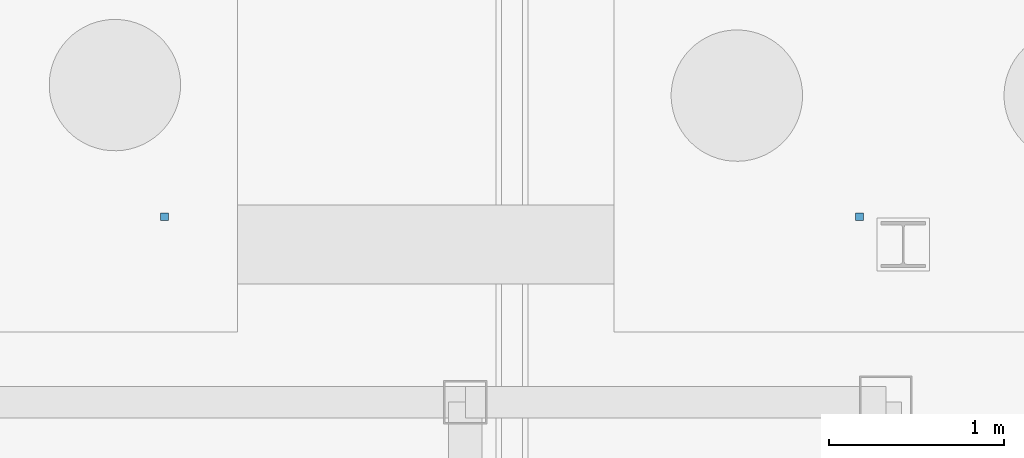
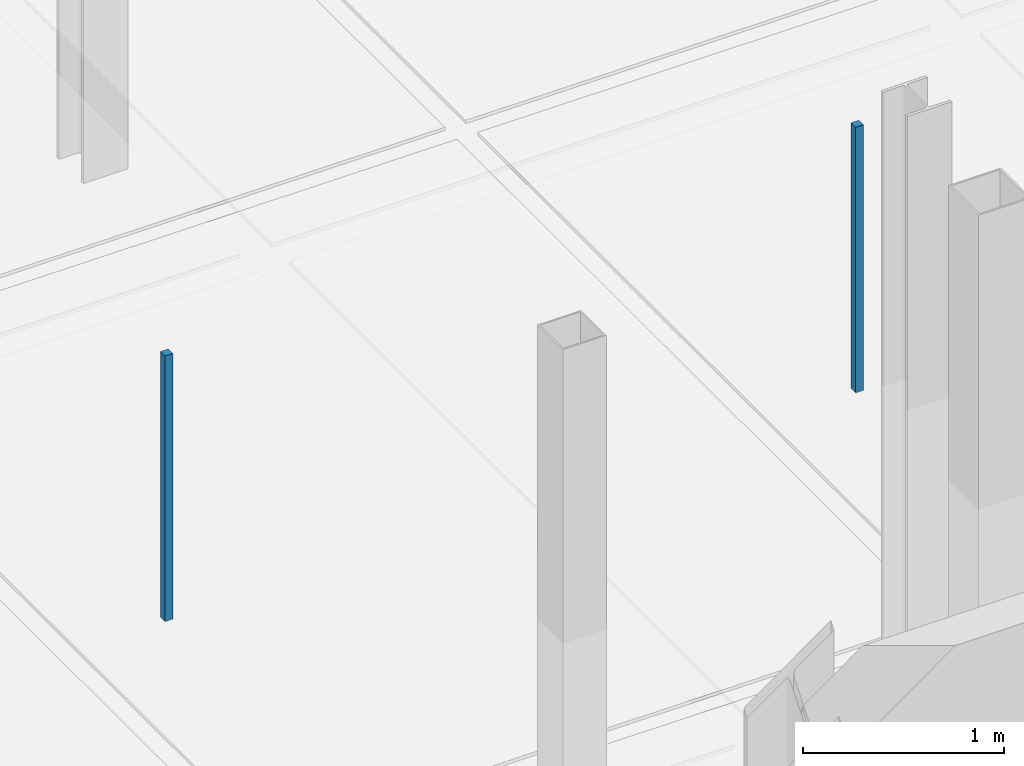
# One storey, part 121 of 180: 2 discrete accessories.
"""IFC4 building model written with IfcOpenShell, lengths in metres."""

from ifc_helpers import new_model, si_unit, direction, frame, origin, origin_2d, place, context, subcontext, project, spatial, rectangle, extrude, material, type_object, element, save


model = new_model("IFC4")

# Units and contexts
model_context = context("Model", 3, precision=1e-05, world=origin(), true_north=direction((0.0, 1.0)))
body_context = subcontext(model_context, "Body", "Model", "MODEL_VIEW")
ifc_project = project(units=[si_unit("LENGTHUNIT", "METRE"), si_unit("AREAUNIT", "SQUARE_METRE"), si_unit("VOLUMEUNIT", "CUBIC_METRE"), si_unit("PLANEANGLEUNIT", "RADIAN"), si_unit("MASSUNIT", "GRAM", prefix="KILO"), si_unit("THERMODYNAMICTEMPERATUREUNIT", "KELVIN"), si_unit("POWERUNIT", "WATT")], contexts=[model_context])

# Site, building, storey
site_placement = place(None, origin())
site = spatial("IfcSite", under=ifc_project, at=site_placement, CompositionType="ELEMENT")
building_placement = place(site_placement, origin())
building = spatial("IfcBuilding", under=site, at=building_placement, Name="Tallowbark Science Centre", CompositionType="ELEMENT")
storey_placement = place(building_placement, origin())
storey = spatial("IfcBuildingStorey", under=building, at=storey_placement, Name="L00", CompositionType="ELEMENT", Elevation=0.0)

# Discrete accessories
ifc_material = material(Name="Galvanised Steel Grade C350L0 (350 MPa)", Category="steel")
discrete_accessory_type = type_object("IfcDiscreteAccessoryType", Name="ACC-CLG-HNG", PredefinedType="BRACKET", material=ifc_material)
for number, where, z_axis, x_axis, name in (
    (1, (101.783203125, 43.958251953125, 3.609375), (0.0, 0.0, 1.0), (1.0, 0.0, 0.0), "Ceiling Hanger Bracket L00-465"),
    (2, (105.75, 43.958251953125, 3.609375), (0.0, 0.0, 1.0), (1.0, 0.0, 0.0), "Ceiling Hanger Bracket L00-471"),
):
    element("IfcDiscreteAccessory", number, at=place(storey_placement, frame(where, z_axis=z_axis, x_axis=x_axis)), inside=storey, type_object=discrete_accessory_type, Name=name, PredefinedType="BRACKET", context=body_context, shape_type="SweptSolid", body=[
        extrude(rectangle(XDim=0.044921875, YDim=0.044921875, at=origin_2d()), origin(), (0.0, 0.0, 1.0), 1.613525390625),
    ])

save(model, "model.ifc")
